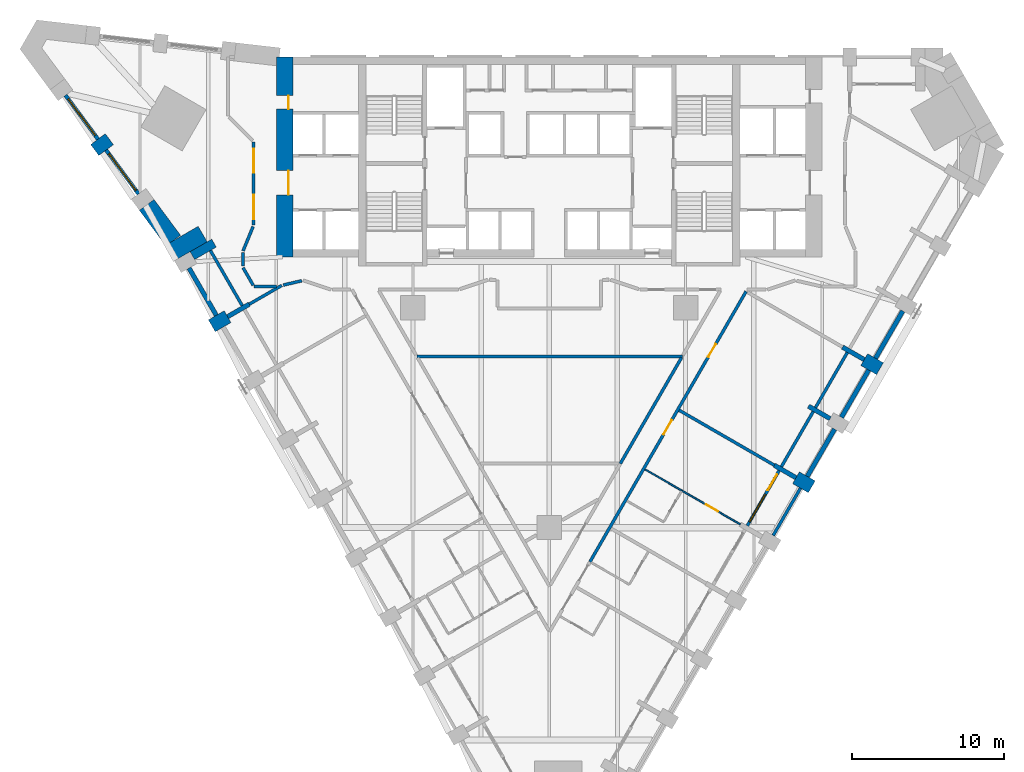
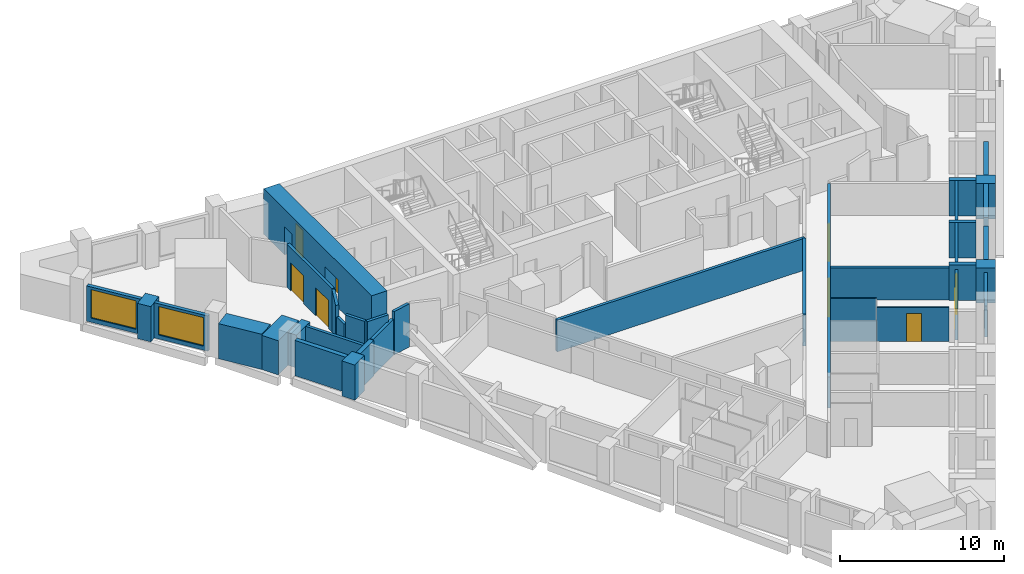
# One storey, part 5 of 10: 36 walls, 8 doors, 3 windows, 11 openings.
"""IFC4 building model written with IfcOpenShell, lengths in metres."""

from ifc_helpers import new_model, si_unit, direction, frame, frame_2d, origin, place, context, subcontext, project, spatial, polyline, rectangle, outline, extrude, material, layer, layer_set, type_object, element, fill, save


model = new_model("IFC4")

# Units and contexts
model_context = context("Model", 3, precision=1e-05, world=origin(), true_north=direction((0.0, 1.0)))
body_context = subcontext(model_context, "Body", "Model", "MODEL_VIEW")
ifc_project = project(units=[si_unit("LENGTHUNIT", "METRE"), si_unit("AREAUNIT", "SQUARE_METRE"), si_unit("VOLUMEUNIT", "CUBIC_METRE"), si_unit("PLANEANGLEUNIT", "RADIAN"), si_unit("MASSUNIT", "GRAM", prefix="KILO")], contexts=[model_context])

# Site, building, storey
site_placement = place(None, origin())
site = spatial("IfcSite", under=ifc_project, at=site_placement, CompositionType="ELEMENT")
building_placement = place(site_placement, origin())
building = spatial("IfcBuilding", under=site, at=building_placement, Name="Calabash Gate Tower", CompositionType="ELEMENT")
storey_placement = place(building_placement, frame((0.0, 0.0, 66.39990234375)))
storey = spatial("IfcBuildingStorey", under=building, at=storey_placement, Name="L12", CompositionType="ELEMENT", Elevation=66.39990234375)

# Walls
ifc_material_1 = material(Name="Terracotta brick masonry, exposed face", Category="masonry")
ifc_layer_1 = layer(ifc_material_1, 2.5)
ifc_layer_set_1 = layer_set([ifc_layer_1], Name="Brick corner mass wall 2500")
wall_type_1 = type_object("IfcWallType", Name="Brick corner mass wall 2500", PredefinedType="SOLIDWALL", material=ifc_layer_set_1)
wall_1_placement = place(storey_placement, frame((-22.865234375, 7.365234375, 0.0), z_axis=(0.0, 0.0, 1.0), x_axis=(-0.866022959057, -0.500004234368, 0.0)))
element("IfcWall", 1, at=wall_1_placement, inside=storey, type_object=wall_type_1, Name="Brick corner pier S03 1", PredefinedType="SOLIDWALL", context=body_context, shape_type="SweptSolid", body=[
    extrude(rectangle(XDim=2.5, YDim=1.1845703125, at=frame_2d((1.25, 0.0))), origin(), (0.0, 0.0, 1.0), 2.552001953125),
])
ifc_material_2 = material(Name="Terracotta brick masonry, exposed face", Category="masonry")
ifc_layer_2 = layer(ifc_material_2, 1.199951171875)
ifc_layer_set_2 = layer_set([ifc_layer_2], Name="Brick end wall 1200")
wall_type_2 = type_object("IfcWallType", Name="Brick end wall 1200", PredefinedType="SOLIDWALL", material=ifc_layer_set_2)
wall_2_placement = place(storey_placement, frame((-21.2197265625, 1.91552734375, 0.0), z_axis=(0.0, 0.0, 1.0), x_axis=(-0.866006032174, -0.500033551112, 0.0)))
element("IfcWall", 2, at=wall_2_placement, inside=storey, type_object=wall_type_2, Name="Brick pier S03 SW0.1", PredefinedType="SOLIDWALL", context=body_context, shape_type="SweptSolid", body=[
    extrude(rectangle(XDim=1.2001953125, YDim=0.89990234375, at=frame_2d((0.60009765625, 0.0))), origin(), (0.0, 0.0, 1.0), 2.630126953125),
])
for number, where, z_axis, x_axis, name in (
    (3, (16.27880859375, -8.70947265625, 0.0), (0.0, 0.0, 1.0), (0.865955154139, -0.50012165622, 0.0), "Brick pier S03 SE2.5"),
    (4, (21.81787109375, -1.515380859375, 0.0), (0.0, 0.0, 1.0), (-0.865955154139, 0.50012165622, 0.0), "Brick pier S03 SE2.7"),
    (5, (-29.985107421875, 12.91015625, 0.0), (0.0, 0.0, 1.0), (0.803477891264, 0.595334593527, 0.0), "Brick pier S03 wedge7.1"),
):
    element("IfcWall", number, at=place(storey_placement, frame(where, z_axis=z_axis, x_axis=x_axis)), inside=storey, type_object=wall_type_2, Name=name, PredefinedType="SOLIDWALL", context=body_context, shape_type="SweptSolid", body=[
        extrude(rectangle(XDim=1.199951171875, YDim=0.89990234375, at=frame_2d((0.60009765625, 0.0))), origin(), (0.0, 0.0, 1.0), 2.630126953125),
    ])
wall_3_placement = place(storey_placement, origin())
element("IfcWall", 6, at=wall_3_placement, inside=storey, type_object=wall_type_2, Name="Brick end wall S03 3", PredefinedType="SOLIDWALL", context=body_context, shape_type="SweptSolid", body=[
    extrude(outline(polyline([(-24.32470703125, 7.285400390625), (-26.07421875, 9.64697265625), (-26.07421875, 9.64697265625), (-26.073974609375, 9.646484375), (-27.0380859375, 8.932373046875), (-25.30908203125, 6.5986328125), (-25.326416015625, 6.628173828125), (-24.806640625, 6.92822265625), (-24.32470703125, 7.285400390625)])), origin(), (0.0, 0.0, 1.0), 2.630126953125),
])
ifc_material_3 = material(Name="Terracotta brick masonry, exposed face", Category="masonry")
ifc_layer_3 = layer(ifc_material_3, 0.300048828125)
ifc_layer_set_3 = layer_set([ifc_layer_3], Name="Brick infill panel wall 300")
wall_type_3 = type_object("IfcWallType", Name="Brick infill panel wall 300", PredefinedType="SOLIDWALL", material=ifc_layer_set_3)
wall_4_placement = place(storey_placement, frame((-23.764404296875, 5.122802734375, 0.0), z_axis=(0.0, 0.0, 1.0), x_axis=(0.500012057535, -0.866018442252, 0.0)))
element("IfcWall", 7, at=wall_4_placement, inside=storey, type_object=wall_type_3, Name="Brick panel S03 SW0.1", PredefinedType="SOLIDWALL", context=body_context, shape_type="SweptSolid", body=[
    extrude(rectangle(XDim=3.60009765625, YDim=0.300048828125, at=frame_2d((1.800048828125, 0.0))), origin(), (0.0, 0.0, 1.0), 2.630126953125),
])
for number, where, z_axis, x_axis, name in (
    (8, (17.0234375, -8.619873046875, 0.0), (0.0, 0.0, 1.0), (0.499961193289, 0.866047807691, 0.0), "Brick panel S03 SE2.6"),
    (9, (19.2734375, -4.72265625, 0.0), (0.0, 0.0, 1.0), (0.499961193289, 0.866047807691, 0.0), "Brick panel S03 SE2.7"),
    (10, (21.5234375, -0.82568359375, 0.0), (0.0, 0.0, 1.0), (0.499961193289, 0.866047807691, 0.0), "Brick panel S03 SE2.8"),
):
    element("IfcWall", number, at=place(storey_placement, frame(where, z_axis=z_axis, x_axis=x_axis)), inside=storey, type_object=wall_type_3, Name=name, PredefinedType="SOLIDWALL", context=body_context, shape_type="SweptSolid", body=[
        extrude(rectangle(XDim=3.599853515625, YDim=0.300048828125, at=frame_2d((1.7998046875, 0.0))), origin(), (0.0, 0.0, 1.0), 2.630126953125),
    ])
ifc_material_4 = material(Name="Terracotta brick masonry, exposed face", Category="masonry")
ifc_layer_4 = layer(ifc_material_4, 0.300048828125)
ifc_layer_set_4 = layer_set([ifc_layer_4], Name="Brick loggia cheek wall 300")
wall_type_4 = type_object("IfcWallType", Name="Brick loggia cheek wall 300", PredefinedType="SOLIDWALL", material=ifc_layer_set_4)
wall_5_placement = place(storey_placement, frame((-23.54443359375, 5.94287109375, 0.0), z_axis=(0.0, 0.0, 1.0), x_axis=(0.866030301974, 0.499991515992, 0.0)))
element("IfcWall", 11, at=wall_5_placement, inside=storey, type_object=wall_type_4, Name="Loggia cheek S03 SW0.0", PredefinedType="SOLIDWALL", context=body_context, shape_type="SweptSolid", body=[
    extrude(rectangle(XDim=1.6494140625, YDim=0.60009765625, at=frame_2d((0.82470703125, 0.0))), origin(), (0.0, 0.0, 1.0), 2.4501953125),
])
for number, where, z_axis, x_axis, name in (
    (12, (-19.790771484375, 2.740478515625, 0.0), (0.0, 0.0, 1.0), (-0.866040211805, -0.499974350878, 0.0), "Loggia cheek S03 SW0.1"),
    (13, (16.27880859375, -8.70947265625, 0.0), (0.0, 0.0, 1.0), (-0.866040211805, 0.499974350878, 0.0), "Loggia cheek S03 SE2.5"),
):
    element("IfcWall", number, at=place(storey_placement, frame(where, z_axis=z_axis, x_axis=x_axis)), inside=storey, type_object=wall_type_4, Name=name, PredefinedType="SOLIDWALL", context=body_context, shape_type="SweptSolid", body=[
        extrude(rectangle(XDim=1.64990234375, YDim=0.300048828125, at=frame_2d((0.824951171875, 0.0))), origin(), (0.0, 0.0, 1.0), 2.650146484375),
    ])
wall_6_placement = place(storey_placement, frame((17.099853515625, -3.987548828125, 0.0), z_axis=(0.0, 0.0, 1.0), x_axis=(0.866030301974, -0.499991515992, 0.0)))
element("IfcWall", 14, at=wall_6_placement, inside=storey, type_object=wall_type_4, Name="Loggia cheek S03 SE2.6", PredefinedType="SOLIDWALL", context=body_context, shape_type="SweptSolid", body=[
    extrude(rectangle(XDim=1.6494140625, YDim=0.300048828125, at=frame_2d((0.82470703125, 0.0))), origin(), (0.0, 0.0, 1.0), 2.650146484375),
])
wall_7_placement = place(storey_placement, frame((19.349853515625, -0.09033203125, 0.0), z_axis=(0.0, 0.0, 1.0), x_axis=(0.866040211805, -0.499974350878, 0.0)))
element("IfcWall", 15, at=wall_7_placement, inside=storey, type_object=wall_type_4, Name="Loggia cheek S03 SE2.7", PredefinedType="SOLIDWALL", context=body_context, shape_type="SweptSolid", body=[
    extrude(rectangle(XDim=1.64990234375, YDim=0.300048828125, at=frame_2d((0.824951171875, 0.0))), origin(), (0.0, 0.0, 1.0), 2.650146484375),
])

# Wall, openings, doors
ifc_material_5 = material(Name="Concrete C80/95", Category="concrete")
ifc_layer_5 = layer(ifc_material_5, 1.10009765625)
ifc_layer_set_5 = layer_set([ifc_layer_5], Name="Core wall 1100 Concrete C80/95")
wall_type_5 = type_object("IfcWallType", Name="Core wall 1100 Concrete C80/95", PredefinedType="SHEAR", material=ifc_layer_set_5)
wall_8_placement = place(storey_placement, frame((-17.449951171875, 5.8525390625, 0.0), z_axis=(0.0, 0.0, 1.0), x_axis=(0.0, 1.0, 0.0)))
wall_8 = element("IfcWall", 16, at=wall_8_placement, inside=storey, type_object=wall_type_5, Name="Core wall Z1-ENDW L12", PredefinedType="SHEAR", context=body_context, shape_type="SweptSolid", body=[
    extrude(rectangle(XDim=13.199951171875, YDim=1.10009765625, at=frame_2d((6.60009765625, 0.0))), origin(), (0.0, 0.0, 1.0), 3.400146484375),
])
opening_1_placement = place(wall_8_placement, frame((4.10009765625, 0.0, 0.0)))
opening_1 = element("IfcOpeningElement", 17, at=opening_1_placement, cuts=wall_8, Name="Opening H3-003", PredefinedType="OPENING", context=body_context, shape_type="SweptSolid", body=[
    extrude(rectangle(XDim=1.60009765625, YDim=2.10009765625, at=frame_2d((0.800048828125, 1.050048828125))), frame((0.0, 0.56005859375, 0.0), z_axis=(0.0, -1.0, 0.0), x_axis=(1.0, 0.0, 0.0)), (0.0, 0.0, 1.0), 1.1201171875),
])
opening_2_placement = place(wall_8_placement, frame((9.75, 0.0, 0.0)))
opening_2 = element("IfcOpeningElement", 18, at=opening_2_placement, cuts=wall_8, Name="Opening H3-004", PredefinedType="OPENING", context=body_context, shape_type="SweptSolid", body=[
    extrude(rectangle(XDim=0.89990234375, YDim=2.10009765625, at=frame_2d((0.449951171875, 1.050048828125))), frame((0.0, 0.56005859375, 0.0), z_axis=(0.0, -1.0, 0.0), x_axis=(1.0, 0.0, 0.0)), (0.0, 0.0, 1.0), 1.1201171875),
])
ifc_material_6 = material(Name="Steel fire door set with fire-resisting glazing", Category="steel")
door_type_1 = type_object("IfcDoorType", Name="Double fire door D08 1600x2100 FD60", OperationType="DOUBLE_DOOR_SINGLE_SWING", PredefinedType="DOOR", material=ifc_material_6)
door_1_placement = place(opening_1_placement, origin())
door_1 = element("IfcDoor", 19, at=door_1_placement, inside=storey, type_object=door_type_1, Name="Low-rise Lift Lobby W door", OperationType="DOUBLE_DOOR_SINGLE_SWING", OverallHeight=2.10009765625, OverallWidth=1.60009765625, PredefinedType="DOOR", context=body_context, shape_type="SweptSolid", body=[
    extrude(rectangle(XDim=1.60009765625, YDim=2.10009765625, at=frame_2d((0.800048828125, 1.050048828125))), frame((0.0, -0.22509765625, 0.0), z_axis=(0.0, -1.0, 0.0), x_axis=(1.0, 0.0, 0.0)), (0.0, 0.0, 1.0), 0.050048828125),
])
fill(opening_1, door_1)
ifc_material_7 = material(Name="Steel fire door set with fire-resisting glazing", Category="steel")
door_type_2 = type_object("IfcDoorType", Name="Fire door D06 900x2100 FD60", OperationType="NOTDEFINED", PredefinedType="DOOR", material=ifc_material_7)
door_2_placement = place(opening_2_placement, origin())
door_2 = element("IfcDoor", 20, at=door_2_placement, inside=storey, type_object=door_type_2, Name="Hotel Pantry door", OperationType="SINGLE_SWING_RIGHT", OverallHeight=2.10009765625, OverallWidth=0.89990234375, PredefinedType="DOOR", context=body_context, shape_type="SweptSolid", body=[
    extrude(rectangle(XDim=0.89990234375, YDim=2.10009765625, at=frame_2d((0.449951171875, 1.050048828125))), frame((0.0, -0.22509765625, 0.0), z_axis=(0.0, -1.0, 0.0), x_axis=(1.0, 0.0, 0.0)), (0.0, 0.0, 1.0), 0.050048828125),
])
fill(opening_2, door_2)

# Wall, opening, door
ifc_material_8 = material(Name="Gypsum board on steel studs, mineral wool", Category="steel")
ifc_layer_6 = layer(ifc_material_8, 0.10009765625)
ifc_layer_set_6 = layer_set([ifc_layer_6], Name="Partition 100 gypsum board")
wall_type_6 = type_object("IfcWallType", Name="Partition 100 gypsum board", PredefinedType="PARTITIONING", material=ifc_layer_set_6)
wall_9_placement = place(storey_placement, frame((8.7451171875, -9.55859375, 0.0), z_axis=(0.0, 0.0, 1.0), x_axis=(0.866220293694, -0.499662288743, 0.0)))
wall_9 = element("IfcWall", 21, at=wall_9_placement, inside=storey, type_object=wall_type_6, Name="Partition", PredefinedType="PARTITIONING", context=body_context, shape_type="SweptSolid", body=[
    extrude(rectangle(XDim=4.44970703125, YDim=0.10009765625, at=frame_2d((2.224853515625, 0.0))), origin(), (0.0, 0.0, 1.0), 2.552001953125),
])
opening_3_placement = place(wall_9_placement, frame((1.849609375, 0.0, 0.0)))
opening_3 = element("IfcOpeningElement", 22, at=opening_3_placement, cuts=wall_9, Name="Opening 12-14-007", PredefinedType="OPENING", context=body_context, shape_type="SweptSolid", body=[
    extrude(rectangle(XDim=0.89990234375, YDim=2.10009765625, at=frame_2d((0.449951171875, 1.050048828125))), frame((0.0, 0.06005859375, 0.0), z_axis=(0.0, -1.0, 0.0), x_axis=(1.0, 0.0, 0.0)), (0.0, 0.0, 1.0), 0.1201171875),
])
ifc_material_9 = material(Name="Painted timber door", Category="wood")
door_type_3 = type_object("IfcDoorType", Name="GD7 Suite room door 900x2100", OperationType="NOTDEFINED", PredefinedType="DOOR", material=ifc_material_9)
door_3_placement = place(opening_3_placement, origin())
door_3 = element("IfcDoor", 23, at=door_3_placement, inside=storey, type_object=door_type_3, Name="Suite room door", OperationType="SINGLE_SWING_LEFT", OverallHeight=2.10009765625, OverallWidth=0.89990234375, PredefinedType="DOOR", context=body_context, shape_type="SweptSolid", body=[
    extrude(rectangle(XDim=0.89990234375, YDim=2.10009765625, at=frame_2d((0.449951171875, 1.050048828125))), frame((0.0, 0.02490234375, 0.0), z_axis=(0.0, -1.0, 0.0), x_axis=(1.0, 0.0, 0.0)), (0.0, 0.0, 1.0), 0.050048828125),
])
fill(opening_3, door_3)

# Walls
wall_10_placement = place(storey_placement, frame((6.3203125, -8.158447265625, 0.0), z_axis=(0.0, 0.0, 1.0), x_axis=(0.865995230276, -0.500052258409, 0.0)))
element("IfcWall", 24, at=wall_10_placement, inside=storey, type_object=wall_type_6, Name="Partition", PredefinedType="PARTITIONING", context=body_context, shape_type="SweptSolid", body=[
    extrude(rectangle(XDim=2.798095703125, YDim=0.10009765625, at=frame_2d((1.39892578125, 0.0))), origin(), (0.0, 0.0, 1.0), 3.22998046875),
])
ifc_material_10 = material(Name="Gypsum board on steel studs, mineral wool", Category="steel")
ifc_layer_7 = layer(ifc_material_10, 0.199951171875)
ifc_layer_set_7 = layer_set([ifc_layer_7], Name="Partition 200 gypsum board EI 60")
wall_type_7 = type_object("IfcWallType", Name="Partition 200 gypsum board EI 60", PredefinedType="PARTITIONING", material=ifc_layer_set_7)
wall_11_placement = place(storey_placement, frame((4.6875, -7.781982421875, 0.0), z_axis=(0.0, 0.0, 1.0), x_axis=(0.499996438971, 0.866027459735, 0.0)))
element("IfcWall", 25, at=wall_11_placement, inside=storey, type_object=wall_type_7, Name="Partition", PredefinedType="PARTITIONING", context=body_context, shape_type="SweptSolid", body=[
    extrude(rectangle(XDim=8.0732421875, YDim=0.199951171875, at=frame_2d((4.03662109375, 0.0))), origin(), (0.0, 0.0, 1.0), 2.38427734375),
])
wall_12_placement = place(storey_placement, frame((8.572265625, -4.258056640625, 0.0), z_axis=(0.0, 0.0, 1.0), x_axis=(0.865900080757, -0.500217003055, 0.0)))
element("IfcWall", 26, at=wall_12_placement, inside=storey, type_object=wall_type_7, Name="Partition", PredefinedType="PARTITIONING", context=body_context, shape_type="SweptSolid", body=[
    extrude(rectangle(XDim=7.249755859375, YDim=0.199951171875, at=frame_2d((3.625, 0.0))), origin(), (0.0, 0.0, 1.0), 2.38427734375),
])
wall_13_placement = place(storey_placement, frame((-8.73681640625, -0.70556640625, 0.0), z_axis=(0.0, 0.0, 1.0), x_axis=(1.0, 0.0, 0.0)))
element("IfcWall", 27, at=wall_13_placement, inside=storey, type_object=wall_type_7, Name="Partition", PredefinedType="PARTITIONING", context=body_context, shape_type="SweptSolid", body=[
    extrude(rectangle(XDim=17.51220703125, YDim=0.199951171875, at=frame_2d((8.756103515625, 0.0))), origin(), (0.0, 0.0, 1.0), 2.38427734375),
])

# Wall, openings, doors
wall_14_placement = place(storey_placement, frame((2.686279296875, -14.256591796875, 0.0), z_axis=(0.0, 0.0, 1.0), x_axis=(0.49998850195, 0.866032042085, 0.0)))
wall_14 = element("IfcWall", 28, at=wall_14_placement, inside=storey, type_object=wall_type_7, Name="Partition", PredefinedType="PARTITIONING", context=body_context, shape_type="SweptSolid", body=[
    extrude(rectangle(XDim=20.60009765625, YDim=0.199951171875, at=frame_2d((10.300048828125, 0.0))), origin(), (0.0, 0.0, 1.0), 2.302490234375),
])
opening_4_placement = place(wall_14_placement, frame((9.7001953125, 0.0, 0.0)))
opening_4 = element("IfcOpeningElement", 29, at=opening_4_placement, cuts=wall_14, Name="Opening 12-14-006", PredefinedType="OPENING", context=body_context, shape_type="SweptSolid", body=[
    extrude(rectangle(XDim=1.10009765625, YDim=2.10009765625, at=frame_2d((0.550048828125, 1.050048828125))), frame((0.0, 0.10986328125, 0.0), z_axis=(0.0, -1.0, 0.0), x_axis=(1.0, 0.0, 0.0)), (0.0, 0.0, 1.0), 0.219970703125),
])
opening_5_placement = place(wall_14_placement, frame((15.60009765625, 0.0, 0.0)))
opening_5 = element("IfcOpeningElement", 30, at=opening_5_placement, cuts=wall_14, Name="Opening 12-14-009", PredefinedType="OPENING", context=body_context, shape_type="SweptSolid", body=[
    extrude(rectangle(XDim=1.0, YDim=2.10009765625, at=frame_2d((0.5, 1.050048828125))), frame((0.0, 0.10986328125, 0.0), z_axis=(0.0, -1.0, 0.0), x_axis=(1.0, 0.0, 0.0)), (0.0, 0.0, 1.0), 0.219970703125),
])
ifc_material_11 = material(Name="Steel fire door set with fire-resisting glazing", Category="steel")
door_type_4 = type_object("IfcDoorType", Name="GD3 Suite entrance door 1100x2100", OperationType="NOTDEFINED", PredefinedType="DOOR", material=ifc_material_11)
door_4_placement = place(opening_4_placement, origin())
door_4 = element("IfcDoor", 31, at=door_4_placement, inside=storey, type_object=door_type_4, Name="Suite entrance door", OperationType="SINGLE_SWING_LEFT", OverallHeight=2.10009765625, OverallWidth=1.10009765625, PredefinedType="DOOR", context=body_context, shape_type="SweptSolid", body=[
    extrude(rectangle(XDim=1.10009765625, YDim=2.10009765625, at=frame_2d((0.550048828125, 1.050048828125))), frame((0.0, 0.02490234375, 0.0), z_axis=(0.0, -1.0, 0.0), x_axis=(1.0, 0.0, 0.0)), (0.0, 0.0, 1.0), 0.050048828125),
])
fill(opening_4, door_4)
ifc_material_12 = material(Name="Steel fire door set with fire-resisting glazing", Category="steel")
door_type_5 = type_object("IfcDoorType", Name="LD2 Meeting room door 1000x2100", OperationType="NOTDEFINED", PredefinedType="DOOR", material=ifc_material_12)
door_5_placement = place(opening_5_placement, origin())
door_5 = element("IfcDoor", 32, at=door_5_placement, inside=storey, type_object=door_type_5, Name="Meeting room door", OperationType="SINGLE_SWING_LEFT", OverallHeight=2.10009765625, OverallWidth=1.0, PredefinedType="DOOR", context=body_context, shape_type="SweptSolid", body=[
    extrude(rectangle(XDim=1.0, YDim=2.10009765625, at=frame_2d((0.5, 1.050048828125))), frame((0.0, 0.02490234375, 0.0), z_axis=(0.0, -1.0, 0.0), x_axis=(1.0, 0.0, 0.0)), (0.0, 0.0, 1.0), 0.050048828125),
])
fill(opening_5, door_5)

# Walls
wall_15_placement = place(storey_placement, frame((-19.47900390625, 3.899658203125, 0.0), z_axis=(0.0, 0.0, 1.0), x_axis=(0.999999986376, -0.000165070978, 0.0)))
element("IfcWall", 33, at=wall_15_placement, inside=storey, type_object=wall_type_7, Name="Partition", PredefinedType="PARTITIONING", context=body_context, shape_type="SweptSolid", body=[
    extrude(rectangle(XDim=1.47900390625, YDim=0.199951171875, at=frame_2d((0.739501953125, 0.0))), origin(), (0.0, 0.0, 1.0), 3.22998046875),
])
wall_16_placement = place(storey_placement, frame((-19.791015625, 2.740478515625, 0.0), z_axis=(0.0, 0.0, 1.0), x_axis=(0.86605932655, 0.499941239442, 0.0)))
element("IfcWall", 34, at=wall_16_placement, inside=storey, type_object=wall_type_7, Name="Partition", PredefinedType="PARTITIONING", context=body_context, shape_type="SweptSolid", body=[
    extrude(rectangle(XDim=2.479248046875, YDim=0.199951171875, at=frame_2d((1.23974609375, 0.0))), origin(), (0.0, 0.0, 1.0), 2.701904296875),
])
wall_17_placement = place(storey_placement, frame((-17.5458984375, 4.0029296875, 0.0), z_axis=(0.0, 0.0, 1.0), x_axis=(0.974055012808, 0.226311360791, 0.0)))
element("IfcWall", 35, at=wall_17_placement, inside=storey, type_object=wall_type_7, Name="Partition", PredefinedType="PARTITIONING", context=body_context, shape_type="SweptSolid", body=[
    extrude(rectangle(XDim=1.25244140625, YDim=0.199951171875, at=frame_2d((0.626220703125, 0.0))), origin(), (0.0, 0.0, 1.0), 3.22998046875),
])
wall_18_placement = place(storey_placement, frame((-20.200439453125, 5.14892578125, 0.0), z_axis=(0.0, 0.0, 1.0), x_axis=(0.500011000363, -0.866019052629, 0.0)))
element("IfcWall", 36, at=wall_18_placement, inside=storey, type_object=wall_type_7, Name="Partition", PredefinedType="PARTITIONING", context=body_context, shape_type="SweptSolid", body=[
    extrude(rectangle(XDim=1.3427734375, YDim=0.199951171875, at=frame_2d((0.67138671875, 0.0))), origin(), (0.0, 0.0, 1.0), 3.22998046875),
])
wall_19_placement = place(storey_placement, frame((-20.200439453125, 6.152587890625, 0.0), z_axis=(0.0, 0.0, 1.0), x_axis=(0.0, -1.0, 0.0)))
element("IfcWall", 37, at=wall_19_placement, inside=storey, type_object=wall_type_7, Name="Partition", PredefinedType="PARTITIONING", context=body_context, shape_type="SweptSolid", body=[
    extrude(rectangle(XDim=0.903564453125, YDim=0.199951171875, at=frame_2d((0.45166015625, 0.0))), origin(), (0.0, 0.0, 1.0), 2.4501953125),
])
wall_20_placement = place(storey_placement, frame((-20.200439453125, 6.252685546875, 0.0), z_axis=(0.0, 0.0, 1.0), x_axis=(0.380742741509, 0.924681007044, 0.0)))
element("IfcWall", 38, at=wall_20_placement, inside=storey, type_object=wall_type_7, Name="Partition", PredefinedType="PARTITIONING", context=body_context, shape_type="SweptSolid", body=[
    extrude(rectangle(XDim=1.73828125, YDim=0.199951171875, at=frame_2d((0.869140625, 0.0))), origin(), (0.0, 0.0, 1.0), 3.22998046875),
])

# Wall, openings, doors
wall_21_placement = place(storey_placement, frame((-19.50048828125, 7.95263671875, 0.0), z_axis=(0.0, 0.0, 1.0), x_axis=(0.0, 1.0, 0.0)))
wall_21 = element("IfcWall", 39, at=wall_21_placement, inside=storey, type_object=wall_type_7, Name="Partition", PredefinedType="PARTITIONING", context=body_context, shape_type="SweptSolid", body=[
    extrude(rectangle(XDim=5.499755859375, YDim=0.199951171875, at=frame_2d((2.75, 0.0))), origin(), (0.0, 0.0, 1.0), 3.22998046875),
])
opening_6_placement = place(wall_21_placement, frame((0.39990234375, 0.0, 0.0)))
opening_6 = element("IfcOpeningElement", 40, at=opening_6_placement, cuts=wall_21, Name="Opening 12-14-019", PredefinedType="OPENING", context=body_context, shape_type="SweptSolid", body=[
    extrude(rectangle(XDim=1.60009765625, YDim=2.10009765625, at=frame_2d((0.800048828125, 1.050048828125))), frame((0.0, 0.10986328125, 0.0), z_axis=(0.0, -1.0, 0.0), x_axis=(1.0, 0.0, 0.0)), (0.0, 0.0, 1.0), 0.219970703125),
])
opening_7_placement = place(wall_21_placement, frame((3.449462890625, 0.0, 0.0)))
opening_7 = element("IfcOpeningElement", 41, at=opening_7_placement, cuts=wall_21, Name="Opening 12-14-020", PredefinedType="OPENING", context=body_context, shape_type="SweptSolid", body=[
    extrude(rectangle(XDim=1.60009765625, YDim=2.10009765625, at=frame_2d((0.800048828125, 1.050048828125))), frame((0.0, 0.10986328125, 0.0), z_axis=(0.0, -1.0, 0.0), x_axis=(1.0, 0.0, 0.0)), (0.0, 0.0, 1.0), 0.219970703125),
])
ifc_material_13 = material(Name="Steel fire door set with fire-resisting glazing", Category="steel")
door_type_6 = type_object("IfcDoorType", Name="LD1 Lounge double door 1600x2100", OperationType="NOTDEFINED", PredefinedType="DOOR", material=ifc_material_13)
door_6_placement = place(opening_6_placement, origin())
door_6 = element("IfcDoor", 42, at=door_6_placement, inside=storey, type_object=door_type_6, Name="Lounge double door", OperationType="DOUBLE_DOOR_SINGLE_SWING", OverallHeight=2.10009765625, OverallWidth=1.60009765625, PredefinedType="DOOR", context=body_context, shape_type="SweptSolid", body=[
    extrude(rectangle(XDim=1.60009765625, YDim=2.10009765625, at=frame_2d((0.800048828125, 1.050048828125))), frame((0.0, 0.02490234375, 0.0), z_axis=(0.0, -1.0, 0.0), x_axis=(1.0, 0.0, 0.0)), (0.0, 0.0, 1.0), 0.050048828125),
])
fill(opening_6, door_6)
door_7_placement = place(opening_7_placement, origin())
door_7 = element("IfcDoor", 43, at=door_7_placement, inside=storey, type_object=door_type_6, Name="Lounge double door", OperationType="DOUBLE_DOOR_SINGLE_SWING", OverallHeight=2.10009765625, OverallWidth=1.60009765625, PredefinedType="DOOR", context=body_context, shape_type="SweptSolid", body=[
    extrude(rectangle(XDim=1.60009765625, YDim=2.10009765625, at=frame_2d((0.800048828125, 1.050048828125))), frame((0.0, 0.02490234375, 0.0), z_axis=(0.0, -1.0, 0.0), x_axis=(1.0, 0.0, 0.0)), (0.0, 0.0, 1.0), 0.050048828125),
])
fill(opening_7, door_7)

# Wall, opening, window
ifc_material_14 = material(Name="Aluminium framed window wall with insulated spandrel", Category="aluminium")
ifc_layer_8 = layer(ifc_material_14, 0.25)
ifc_layer_set_8 = layer_set([ifc_layer_8], Name="Prow window wall 250")
wall_type_8 = type_object("IfcWallType", Name="Prow window wall 250", PredefinedType="ELEMENTEDWALL", material=ifc_layer_set_8)
wall_22_placement = place(storey_placement, frame((-31.913818359375, 16.521484375, 0.0), z_axis=(0.0, 0.0, 1.0), x_axis=(0.595258366654, -0.803534365742, 0.0)))
wall_22 = element("IfcWall", 44, at=wall_22_placement, inside=storey, type_object=wall_type_8, Name="Prow window wall S03 wedge7.1", PredefinedType="ELEMENTEDWALL", context=body_context, shape_type="SweptSolid", body=[
    extrude(rectangle(XDim=3.599853515625, YDim=0.25, at=frame_2d((1.7998046875, 0.0))), origin(), (0.0, 0.0, 1.0), 2.630126953125),
])
opening_8_placement = place(wall_22_placement, frame((0.300048828125, 0.0, 0.300048828125)))
opening_8 = element("IfcOpeningElement", 45, at=opening_8_placement, cuts=wall_22, Name="Opening WP1L-2130", PredefinedType="OPENING", context=body_context, shape_type="SweptSolid", body=[
    extrude(rectangle(XDim=3.0, YDim=2.1298828125, at=frame_2d((1.5, 1.06494140625))), frame((0.0, 0.135009765625, 0.0), z_axis=(0.0, -1.0, 0.0), x_axis=(1.0, 0.0, 0.0)), (0.0, 0.0, 1.0), 0.27001953125),
])
ifc_material_15 = material(Name="Anodised aluminium frame, bronze finish, impact-rated laminated clear glazing", Category="aluminium")
window_type_1 = type_object("IfcWindowType", Name="Window WP1L 3000x2130", PartitioningType="DOUBLE_PANEL_VERTICAL", PredefinedType="WINDOW", material=ifc_material_15)
window_1_placement = place(opening_8_placement, origin())
window_1 = element("IfcWindow", 46, at=window_1_placement, inside=storey, type_object=window_type_1, Name="Prow window WP1L S03 wedge7.1", OverallHeight=2.1298828125, OverallWidth=3.0, PartitioningType="SINGLE_PANEL", PredefinedType="WINDOW", context=body_context, shape_type="SweptSolid", body=[
    extrude(rectangle(XDim=3.0, YDim=2.1298828125, at=frame_2d((1.5, 1.06494140625))), frame((0.0, 0.030029296875, 0.0), z_axis=(0.0, -1.0, 0.0), x_axis=(1.0, 0.0, 0.0)), (0.0, 0.0, 1.0), 0.06005859375),
])
fill(opening_8, window_1)

wall_23_placement = place(storey_placement, frame((-29.235107421875, 12.905517578125, 0.0), z_axis=(0.0, 0.0, 1.0), x_axis=(0.595302153335, -0.803501926715, 0.0)))
wall_23 = element("IfcWall", 47, at=wall_23_placement, inside=storey, type_object=wall_type_8, Name="Prow window wall S03 wedge7.2", PredefinedType="ELEMENTEDWALL", context=body_context, shape_type="SweptSolid", body=[
    extrude(rectangle(XDim=3.599853515625, YDim=0.25, at=frame_2d((1.7998046875, 0.0))), origin(), (0.0, 0.0, 1.0), 2.630126953125),
])
opening_9_placement = place(wall_23_placement, frame((0.300048828125, 0.0, 0.300048828125)))
opening_9 = element("IfcOpeningElement", 48, at=opening_9_placement, cuts=wall_23, Name="Opening WP1L-2130", PredefinedType="OPENING", context=body_context, shape_type="SweptSolid", body=[
    extrude(rectangle(XDim=3.0, YDim=2.1298828125, at=frame_2d((1.5, 1.06494140625))), frame((0.0, 0.135009765625, 0.0), z_axis=(0.0, -1.0, 0.0), x_axis=(1.0, 0.0, 0.0)), (0.0, 0.0, 1.0), 0.27001953125),
])
window_2_placement = place(opening_9_placement, origin())
window_2 = element("IfcWindow", 49, at=window_2_placement, inside=storey, type_object=window_type_1, Name="Prow window WP1L S03 wedge7.2", OverallHeight=2.1298828125, OverallWidth=3.0, PartitioningType="SINGLE_PANEL", PredefinedType="WINDOW", context=body_context, shape_type="SweptSolid", body=[
    extrude(rectangle(XDim=3.0, YDim=2.1298828125, at=frame_2d((1.5, 1.06494140625))), frame((0.0, 0.030029296875, 0.0), z_axis=(0.0, -1.0, 0.0), x_axis=(1.0, 0.0, 0.0)), (0.0, 0.0, 1.0), 0.06005859375),
])
fill(opening_9, window_2)

# Walls
ifc_material_16 = material(Name="Terracotta brick masonry, perforated", Category="masonry")
ifc_layer_9 = layer(ifc_material_16, 0.199951171875)
ifc_layer_set_9 = layer_set([ifc_layer_9], Name="Terracotta jaali screen A")
wall_type_9 = type_object("IfcWallType", Name="Terracotta jaali screen A", PredefinedType="SOLIDWALL", material=ifc_layer_set_9)
wall_24_placement = place(storey_placement, frame((14.7734375, -12.51708984375, 0.0), z_axis=(0.0, 0.0, 1.0), x_axis=(0.499931829785, 0.866064758299, 0.0)))
element("IfcWall", 50, at=wall_24_placement, inside=storey, type_object=wall_type_9, Name="SCREEN A S03 SE2.5", PredefinedType="SOLIDWALL", context=body_context, shape_type="SweptSolid", body=[
    extrude(rectangle(XDim=3.60009765625, YDim=0.199951171875, at=frame_2d((1.800048828125, 0.0))), origin(), (0.0, 0.0, 1.0), 2.302490234375),
])
ifc_material_17 = material(Name="Aluminium framed window wall with insulated spandrel", Category="aluminium")
ifc_layer_10 = layer(ifc_material_17, 0.199951171875)
ifc_layer_set_10 = layer_set([ifc_layer_10], Name="Window wall 200")
wall_type_10 = type_object("IfcWallType", Name="Window wall 200", PredefinedType="ELEMENTEDWALL", material=ifc_layer_set_10)
wall_25_placement = place(storey_placement, frame((-22.35546875, 6.28271484375, 0.0), z_axis=(0.0, 0.0, 1.0), x_axis=(0.49998411664, -0.866034573852, 0.0)))
element("IfcWall", 51, at=wall_25_placement, inside=storey, type_object=wall_type_10, Name="Window wall S03 SW0.1", PredefinedType="ELEMENTEDWALL", context=body_context, shape_type="SweptSolid", body=[
    extrude(rectangle(XDim=4.199951171875, YDim=0.199951171875, at=frame_2d((2.10009765625, 0.0))), origin(), (0.0, 0.0, 1.0), 2.4501953125),
])

# Wall, openings, door, window
wall_26_placement = place(storey_placement, frame((13.064453125, -11.876708984375, 0.0), z_axis=(0.0, 0.0, 1.0), x_axis=(0.500027713859, 0.866009402589, 0.0)))
wall_26 = element("IfcWall", 52, at=wall_26_placement, inside=storey, type_object=wall_type_10, Name="Window wall S03 SE2.5", PredefinedType="ELEMENTEDWALL", context=body_context, shape_type="SweptSolid", body=[
    extrude(rectangle(XDim=4.199951171875, YDim=0.199951171875, at=frame_2d((2.10009765625, 0.0))), origin(), (0.0, 0.0, 1.0), 2.302490234375),
])
opening_10_placement = place(wall_26_placement, frame((0.300048828125, 0.0, 0.60009765625)))
opening_10 = element("IfcOpeningElement", 53, at=opening_10_placement, cuts=wall_26, Name="Opening HW1L-1600", PredefinedType="OPENING", context=body_context, shape_type="SweptSolid", body=[
    extrude(rectangle(XDim=2.10009765625, YDim=1.60009765625, at=frame_2d((1.050048828125, 0.800048828125))), frame((0.0, 0.10986328125, 0.0), z_axis=(0.0, -1.0, 0.0), x_axis=(1.0, 0.0, 0.0)), (0.0, 0.0, 1.0), 0.219970703125),
])
opening_11_placement = place(wall_26_placement, frame((2.699951171875, 0.0, 0.0)))
opening_11 = element("IfcOpeningElement", 54, at=opening_11_placement, cuts=wall_26, Name="Opening H3-024", PredefinedType="OPENING", context=body_context, shape_type="SweptSolid", body=[
    extrude(rectangle(XDim=1.199951171875, YDim=2.199951171875, at=frame_2d((0.60009765625, 1.10009765625))), frame((0.0, 0.10986328125, 0.0), z_axis=(0.0, -1.0, 0.0), x_axis=(1.0, 0.0, 0.0)), (0.0, 0.0, 1.0), 0.219970703125),
])
ifc_material_18 = material(Name="Anodised aluminium frame, bronze finish, impact-rated laminated clear glazing", Category="aluminium")
door_type_7 = type_object("IfcDoorType", Name="Loggia door DH1L-2200 1200x2200", OperationType="SLIDING_TO_LEFT", PredefinedType="DOOR", material=ifc_material_18)
door_8_placement = place(opening_11_placement, origin())
door_8 = element("IfcDoor", 55, at=door_8_placement, inside=storey, type_object=door_type_7, Name="Loggia door S03 SE2.5", OperationType="SINGLE_SWING_LEFT", OverallHeight=2.199951171875, OverallWidth=1.199951171875, PredefinedType="DOOR", context=body_context, shape_type="SweptSolid", body=[
    extrude(rectangle(XDim=1.199951171875, YDim=2.199951171875, at=frame_2d((0.60009765625, 1.10009765625))), frame((0.0, 0.02490234375, 0.0), z_axis=(0.0, -1.0, 0.0), x_axis=(1.0, 0.0, 0.0)), (0.0, 0.0, 1.0), 0.050048828125),
])
fill(opening_11, door_8)
ifc_material_19 = material(Name="Anodised aluminium frame, bronze finish, impact-rated laminated clear glazing", Category="aluminium")
window_type_2 = type_object("IfcWindowType", Name="Window HW1L 2100x1600", PartitioningType="DOUBLE_PANEL_VERTICAL", PredefinedType="WINDOW", material=ifc_material_19)
window_3_placement = place(opening_10_placement, origin())
window_3 = element("IfcWindow", 56, at=window_3_placement, inside=storey, type_object=window_type_2, Name="Window HW1 S03 SE2.5", OverallHeight=1.60009765625, OverallWidth=2.10009765625, PartitioningType="SINGLE_PANEL", PredefinedType="WINDOW", context=body_context, shape_type="SweptSolid", body=[
    extrude(rectangle(XDim=2.10009765625, YDim=1.60009765625, at=frame_2d((1.050048828125, 0.800048828125))), frame((0.0, 0.030029296875, 0.0), z_axis=(0.0, -1.0, 0.0), x_axis=(1.0, 0.0, 0.0)), (0.0, 0.0, 1.0), 0.06005859375),
])
fill(opening_10, window_3)

# Walls
wall_27_placement = place(storey_placement, frame((15.314453125, -7.979736328125, 0.0), z_axis=(0.0, 0.0, 1.0), x_axis=(0.500002543286, 0.866023935413, 0.0)))
element("IfcWall", 57, at=wall_27_placement, inside=storey, type_object=wall_type_10, Name="Window wall S03 SE2.6", PredefinedType="ELEMENTEDWALL", context=body_context, shape_type="SweptSolid", body=[
    extrude(rectangle(XDim=4.2001953125, YDim=0.199951171875, at=frame_2d((2.10009765625, 0.0))), origin(), (0.0, 0.0, 1.0), 2.650146484375),
])
wall_28_placement = place(storey_placement, frame((17.564453125, -4.08251953125, 0.0), z_axis=(0.0, 0.0, 1.0), x_axis=(0.500027713859, 0.866009402589, 0.0)))
element("IfcWall", 58, at=wall_28_placement, inside=storey, type_object=wall_type_10, Name="Window wall S03 SE2.7", PredefinedType="ELEMENTEDWALL", context=body_context, shape_type="SweptSolid", body=[
    extrude(rectangle(XDim=4.199951171875, YDim=0.199951171875, at=frame_2d((2.10009765625, 0.0))), origin(), (0.0, 0.0, 1.0), 2.650146484375),
])

save(model, "model.ifc")
